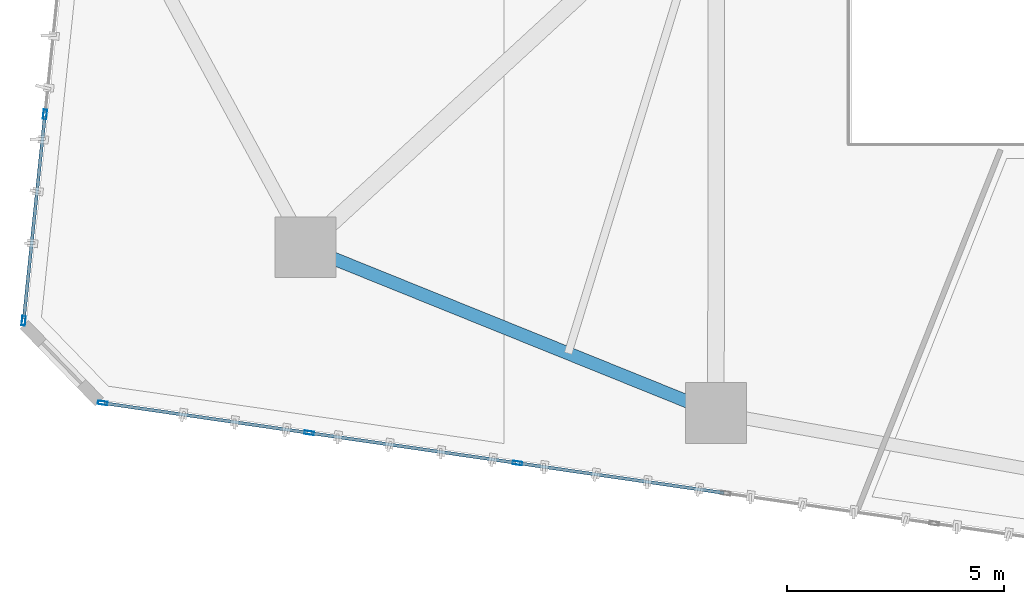
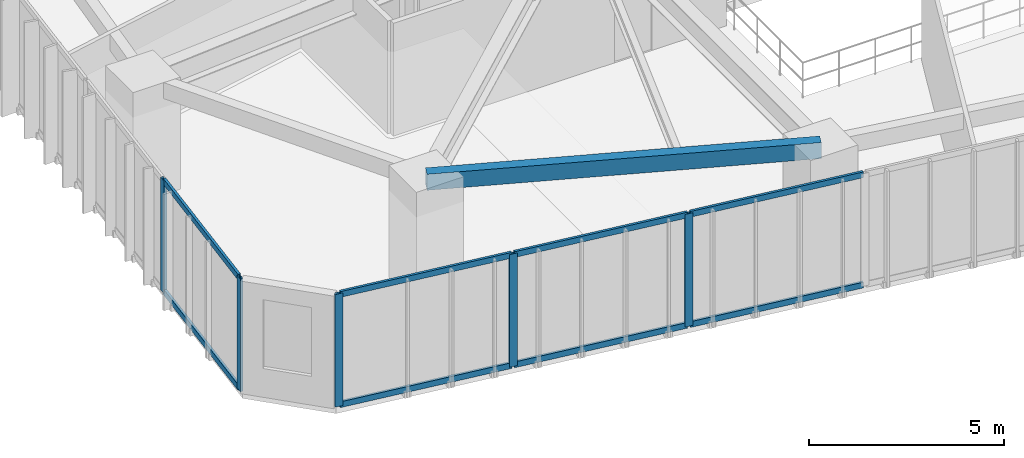
# One storey, part 2 of 22: 13 members, 1 beam, 2 elements without a shape of their own.
"""IFC4 building model written with IfcOpenShell, lengths in metres."""

from ifc_helpers import new_model, si_unit, direction, frame, origin, origin_2d, place, context, subcontext, project, spatial, hollow_rectangle, extrude, source, transform, mapped, material, layer, layer_set, material_profile, profile_set, type_object, type_shapes, element, aggregate, save


model = new_model("IFC4")

# Units and contexts
model_context = context("Model", 3, precision=1e-05, world=origin(), true_north=direction((0.0, 1.0)))
body_context = subcontext(model_context, "Body", "Model", "MODEL_VIEW")
ifc_project = project(units=[si_unit("LENGTHUNIT", "METRE"), si_unit("AREAUNIT", "SQUARE_METRE"), si_unit("VOLUMEUNIT", "CUBIC_METRE"), si_unit("PLANEANGLEUNIT", "RADIAN"), si_unit("MASSUNIT", "GRAM", prefix="KILO")], contexts=[model_context])

# Site, building, storey
site_placement = place(None, origin())
site = spatial("IfcSite", under=ifc_project, at=site_placement, CompositionType="ELEMENT")
building_placement = place(site_placement, origin())
building = spatial("IfcBuilding", under=site, at=building_placement, Name="Talar Marvaseh", CompositionType="ELEMENT")
storey_placement = place(building_placement, frame((0.0, 0.0, 65.800048828125)))
storey = spatial("IfcBuildingStorey", under=building, at=storey_placement, Name="L16", CompositionType="ELEMENT", Elevation=65.800048828125)

# Beam
ifc_material_1 = material(Name="Steel S355", Category="steel")
ifc_material_profile_1 = material_profile(ifc_material_1, hollow_rectangle(XDim=0.300048828125, YDim=0.5, WallThickness=0.02001953125, at=origin_2d()), Name="RHS500x300x20")
ifc_profile_set_1 = profile_set([ifc_material_profile_1], Name="Steel S355")
beam_type = type_object("IfcBeamType", Name="Zone 1 Perimeter Spandrel Beam RHS500x300x20", PredefinedType="SPANDREL", material=ifc_profile_set_1)
beam_placement = place(storey_placement, frame((18.68310546875, 12.97900390625, 3.27001953125), z_axis=(-0.927239278118, 0.374469386084, 0.0), x_axis=(-0.374469386084, -0.927239278118, 0.0)))
element("IfcBeam", 1, at=beam_placement, inside=storey, type_object=beam_type, Name="L16 Zone 1 Perimeter Spandrel Beam RHS500x300x20", PredefinedType="SPANDREL", context=body_context, shape_type="SweptSolid", body=[
    extrude(hollow_rectangle(XDim=0.300048828125, YDim=0.5, WallThickness=0.02001953125, at=origin_2d()), origin(), (0.0, 0.0, 1.0), 10.19287109375),
])

# Curtain wall, members
ifc_material_2 = material(Name="Architectural Aluminium", Category="aluminium")
ifc_layer = layer(ifc_material_2, 0.219970703125)
ifc_layer_set = layer_set([ifc_layer], Name="Architectural Aluminium")
curtain_wall_type = type_object("IfcCurtainWallType", Name="Unitised Low-E Museum Curtain Wall Z1", PredefinedType="NOTDEFINED", material=ifc_layer_set)
curtain_wall_1_placement = place(storey_placement, origin())
curtain_wall_1 = element("IfcCurtainWall", 2, at=curtain_wall_1_placement, inside=storey, type_object=curtain_wall_type, Name="L16 Unitised Low-E Museum Curtain Wall Z1", PredefinedType="NOTDEFINED")
ifc_material_profile_2 = material_profile(ifc_material_2, hollow_rectangle(XDim=0.080078125, YDim=0.219970703125, WallThickness=0.0048828125, at=origin_2d()), Name="RHS220x80x5")
ifc_profile_set_2 = profile_set([ifc_material_profile_2], Name="Architectural Aluminium")
member_type_1 = type_object("IfcMemberType", Name="Unitised Curtain Wall Heavy Mullion RHS220x80x5", PredefinedType="MULLION", material=ifc_profile_set_2)
shared_shape_1 = source(origin(), body_context, "Body", "SweptSolid", [
    extrude(hollow_rectangle(XDim=0.080078125, YDim=0.219970703125, WallThickness=0.0048828125, at=origin_2d()), origin(), (0.0, 0.0, 1.0), 3.52001953125),
])
type_shapes(member_type_1, [shared_shape_1])
member_1_placement = place(storey_placement, frame((2.7470703125, 15.103759765625, 0.0), z_axis=(0.0, 0.0, 1.0), x_axis=(-0.994696116213, 0.102857359443, 0.0)))
member_1 = element("IfcMember", 3, at=member_1_placement, type_object=member_type_1, Name="CW-Z1 mullion 1", PredefinedType="MULLION", context=body_context, shape_type="MappedRepresentation", body=[
    mapped(shared_shape_1, transform((0.0, 0.0, 0.0), x_axis=(1.0, 0.0, 0.0), y_axis=(0.0, 1.0, 0.0), z_axis=(0.0, 0.0, 1.0), scale=1.0)),
])
member_2_placement = place(storey_placement, frame((3.23828125, 19.85498046875, 0.0), z_axis=(0.0, 0.0, 1.0), x_axis=(-0.994696116213, 0.102857359443, 0.0)))
member_2 = element("IfcMember", 4, at=member_2_placement, type_object=member_type_1, Name="CW-Z1 mullion 2", PredefinedType="MULLION", context=body_context, shape_type="MappedRepresentation", body=[
    mapped(shared_shape_1, transform((0.0, 0.0, 0.0), x_axis=(1.0, 0.0, 0.0), y_axis=(0.0, 1.0, 0.0), z_axis=(0.0, 0.0, 1.0), scale=1.0)),
])

curtain_wall_2_placement = place(storey_placement, origin())
curtain_wall_2 = element("IfcCurtainWall", 5, at=curtain_wall_2_placement, inside=storey, type_object=curtain_wall_type, Name="L16 Unitised Low-E Museum Curtain Wall Z1", PredefinedType="NOTDEFINED")
member_3_placement = place(storey_placement, frame((14.115478515625, 11.82763671875, 0.0), z_axis=(0.0, 0.0, 1.0), x_axis=(-0.143337904362, -0.98967380746, 0.0)))
member_3 = element("IfcMember", 6, at=member_3_placement, type_object=member_type_1, Name="CW-Z1 mullion 4", PredefinedType="MULLION", context=body_context, shape_type="MappedRepresentation", body=[
    mapped(shared_shape_1, transform((0.0, 0.0, 0.0), x_axis=(1.0, 0.0, 0.0), y_axis=(0.0, 1.0, 0.0), z_axis=(0.0, 0.0, 1.0), scale=1.0)),
])
member_4_placement = place(storey_placement, frame((9.3203125, 12.522216796875, 0.0), z_axis=(0.0, 0.0, 1.0), x_axis=(-0.143337904362, -0.98967380746, 0.0)))
member_4 = element("IfcMember", 7, at=member_4_placement, type_object=member_type_1, Name="CW-Z1 mullion 5", PredefinedType="MULLION", context=body_context, shape_type="MappedRepresentation", body=[
    mapped(shared_shape_1, transform((0.0, 0.0, 0.0), x_axis=(1.0, 0.0, 0.0), y_axis=(0.0, 1.0, 0.0), z_axis=(0.0, 0.0, 1.0), scale=1.0)),
])
member_5_placement = place(storey_placement, frame((4.564697265625, 13.2109375, 0.0), z_axis=(0.0, 0.0, 1.0), x_axis=(-0.143337904362, -0.98967380746, 0.0)))
member_5 = element("IfcMember", 8, at=member_5_placement, type_object=member_type_1, Name="CW-Z1 mullion 6", PredefinedType="MULLION", context=body_context, shape_type="MappedRepresentation", body=[
    mapped(shared_shape_1, transform((0.0, 0.0, 0.0), x_axis=(1.0, 0.0, 0.0), y_axis=(0.0, 1.0, 0.0), z_axis=(0.0, 0.0, 1.0), scale=1.0)),
])
ifc_material_profile_3 = material_profile(ifc_material_2, hollow_rectangle(XDim=0.074951171875, YDim=0.179931640625, WallThickness=0.0048828125, at=origin_2d()), Name="RHS180x75x5")
ifc_profile_set_3 = profile_set([ifc_material_profile_3], Name="Architectural Aluminium")
member_type_2 = type_object("IfcMemberType", Name="Unitised Curtain Wall Transom RHS180x75x5", PredefinedType="USERDEFINED", material=ifc_profile_set_3)
shared_shape_2 = source(origin(), body_context, "Body", "SweptSolid", [
    extrude(hollow_rectangle(XDim=0.074951171875, YDim=0.179931640625, WallThickness=0.0048828125, at=origin_2d()), origin(), (0.0, 0.0, 1.0), 4.725341796875),
])
member_6_placement = place(storey_placement, frame((9.28076171875, 12.52783203125, 0.037353515625), z_axis=(-0.989668569031, 0.14337406834, 0.0), x_axis=(-0.14337406834, -0.989668569031, 0.0)))
member_6 = element("IfcMember", 9, at=member_6_placement, type_object=member_type_2, Name="CW-Z1 transom 5.1", ObjectType="TRANSOM", PredefinedType="USERDEFINED", context=body_context, shape_type="MappedRepresentation", body=[
    mapped(shared_shape_2, transform((0.0, 0.0, 0.0), x_axis=(1.0, 0.0, 0.0), y_axis=(0.0, 1.0, 0.0), z_axis=(0.0, 0.0, 1.0), scale=1.0)),
])
member_7_placement = place(storey_placement, frame((9.28076171875, 12.52783203125, 3.482421875), z_axis=(-0.989668569031, 0.14337406834, 0.0), x_axis=(-0.14337406834, -0.989668569031, 0.0)))
member_7 = element("IfcMember", 10, at=member_7_placement, type_object=member_type_2, Name="CW-Z1 transom 5.2", ObjectType="TRANSOM", PredefinedType="USERDEFINED", context=body_context, shape_type="MappedRepresentation", body=[
    mapped(shared_shape_2, transform((0.0, 0.0, 0.0), x_axis=(1.0, 0.0, 0.0), y_axis=(0.0, 1.0, 0.0), z_axis=(0.0, 0.0, 1.0), scale=1.0)),
])
shared_shape_3 = source(origin(), body_context, "Body", "SweptSolid", [
    extrude(hollow_rectangle(XDim=0.074951171875, YDim=0.179931640625, WallThickness=0.0048828125, at=origin_2d()), origin(), (0.0, 0.0, 1.0), 4.765380859375),
])
member_8_placement = place(storey_placement, frame((18.871337890625, 11.138916015625, 0.037353515625), z_axis=(-0.9896719787, 0.143350530434, 0.0), x_axis=(-0.143350530434, -0.9896719787, 0.0)))
member_8 = element("IfcMember", 11, at=member_8_placement, type_object=member_type_2, Name="CW-Z1 transom 3.1", ObjectType="TRANSOM", PredefinedType="USERDEFINED", context=body_context, shape_type="MappedRepresentation", body=[
    mapped(shared_shape_3, transform((0.0, 0.0, 0.0), x_axis=(1.0, 0.0, 0.0), y_axis=(0.0, 1.0, 0.0), z_axis=(0.0, 0.0, 1.0), scale=1.0)),
])
member_9_placement = place(storey_placement, frame((18.871337890625, 11.138916015625, 3.482421875), z_axis=(-0.9896719787, 0.143350530434, 0.0), x_axis=(-0.143350530434, -0.9896719787, 0.0)))
member_9 = element("IfcMember", 12, at=member_9_placement, type_object=member_type_2, Name="CW-Z1 transom 3.2", ObjectType="TRANSOM", PredefinedType="USERDEFINED", context=body_context, shape_type="MappedRepresentation", body=[
    mapped(shared_shape_3, transform((0.0, 0.0, 0.0), x_axis=(1.0, 0.0, 0.0), y_axis=(0.0, 1.0, 0.0), z_axis=(0.0, 0.0, 1.0), scale=1.0)),
])
shared_shape_4 = source(origin(), body_context, "Body", "SweptSolid", [
    extrude(hollow_rectangle(XDim=0.074951171875, YDim=0.179931640625, WallThickness=0.0048828125, at=origin_2d()), origin(), (0.0, 0.0, 1.0), 4.76513671875),
])
member_10_placement = place(storey_placement, frame((14.075927734375, 11.83349609375, 0.037353515625), z_axis=(-0.989679245937, 0.143300349479, 0.0), x_axis=(-0.143300349479, -0.989679245937, 0.0)))
member_10 = element("IfcMember", 13, at=member_10_placement, type_object=member_type_2, Name="CW-Z1 transom 4.1", ObjectType="TRANSOM", PredefinedType="USERDEFINED", context=body_context, shape_type="MappedRepresentation", body=[
    mapped(shared_shape_4, transform((0.0, 0.0, 0.0), x_axis=(1.0, 0.0, 0.0), y_axis=(0.0, 1.0, 0.0), z_axis=(0.0, 0.0, 1.0), scale=1.0)),
])
member_11_placement = place(storey_placement, frame((14.075927734375, 11.83349609375, 3.482421875), z_axis=(-0.989679245937, 0.143300349479, 0.0), x_axis=(-0.143300349479, -0.989679245937, 0.0)))
member_11 = element("IfcMember", 14, at=member_11_placement, type_object=member_type_2, Name="CW-Z1 transom 4.2", ObjectType="TRANSOM", PredefinedType="USERDEFINED", context=body_context, shape_type="MappedRepresentation", body=[
    mapped(shared_shape_4, transform((0.0, 0.0, 0.0), x_axis=(1.0, 0.0, 0.0), y_axis=(0.0, 1.0, 0.0), z_axis=(0.0, 0.0, 1.0), scale=1.0)),
])
aggregate(curtain_wall_2, [member_3, member_4, member_5, member_8, member_9, member_10, member_11, member_6, member_7])

# Member
shared_shape_5 = source(origin(), body_context, "Body", "SweptSolid", [
    extrude(hollow_rectangle(XDim=0.074951171875, YDim=0.179931640625, WallThickness=0.0048828125, at=origin_2d()), origin(), (0.0, 0.0, 1.0), 4.696533203125),
])
type_shapes(member_type_2, [shared_shape_2, shared_shape_3, shared_shape_4, shared_shape_5])
member_12_placement = place(storey_placement, frame((2.751220703125, 15.1435546875, 0.037353515625), z_axis=(0.102822888283, 0.994699680127, 0.0), x_axis=(-0.994699680127, 0.102822888283, 0.0)))
member_12 = element("IfcMember", 15, at=member_12_placement, type_object=member_type_2, Name="CW-Z1 transom 1.1", ObjectType="TRANSOM", PredefinedType="USERDEFINED", context=body_context, shape_type="MappedRepresentation", body=[
    mapped(shared_shape_5, transform((0.0, 0.0, 0.0), x_axis=(1.0, 0.0, 0.0), y_axis=(0.0, 1.0, 0.0), z_axis=(0.0, 0.0, 1.0), scale=1.0)),
])

member_13_placement = place(storey_placement, frame((2.751220703125, 15.1435546875, 3.482421875), z_axis=(0.102822888283, 0.994699680127, 0.0), x_axis=(-0.994699680127, 0.102822888283, 0.0)))
member_13 = element("IfcMember", 16, at=member_13_placement, type_object=member_type_2, Name="CW-Z1 transom 1.2", ObjectType="TRANSOM", PredefinedType="USERDEFINED", context=body_context, shape_type="MappedRepresentation", body=[
    mapped(shared_shape_5, transform((0.0, 0.0, 0.0), x_axis=(1.0, 0.0, 0.0), y_axis=(0.0, 1.0, 0.0), z_axis=(0.0, 0.0, 1.0), scale=1.0)),
])

aggregate(curtain_wall_1, [member_1, member_2, member_12, member_13])

save(model, "model.ifc")
